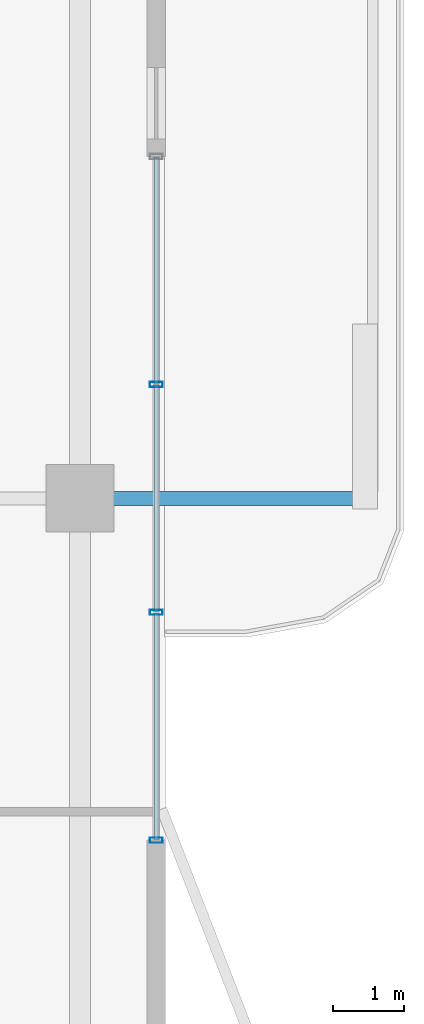
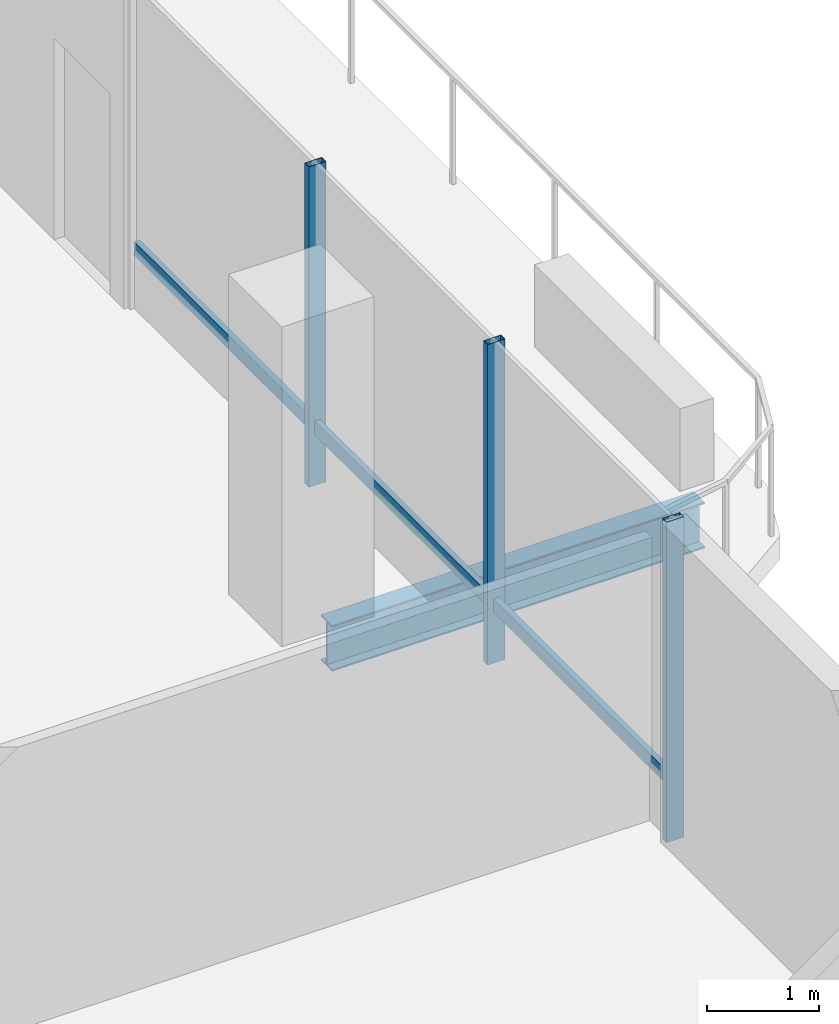
# One storey, part 10 of 24: 6 members, 1 beam, 1 element without a shape of its own.
"""IFC4 building model written with IfcOpenShell, lengths in metres."""

from ifc_helpers import new_model, si_unit, direction, frame, origin, origin_2d, place, context, subcontext, project, spatial, hollow_rectangle, i_section, extrude, material, layer, layer_set, material_profile, profile_set, type_object, element, aggregate, save


model = new_model("IFC4")

# Units and contexts
model_context = context("Model", 3, precision=1e-05, world=origin(), true_north=direction((0.0, 1.0)))
body_context = subcontext(model_context, "Body", "Model", "MODEL_VIEW")
ifc_project = project(units=[si_unit("LENGTHUNIT", "METRE"), si_unit("AREAUNIT", "SQUARE_METRE"), si_unit("VOLUMEUNIT", "CUBIC_METRE"), si_unit("PLANEANGLEUNIT", "RADIAN"), si_unit("MASSUNIT", "GRAM", prefix="KILO")], contexts=[model_context])

# Site, building, storey
site_placement = place(None, origin())
site = spatial("IfcSite", under=ifc_project, at=site_placement, CompositionType="ELEMENT")
building_placement = place(site_placement, origin())
building = spatial("IfcBuilding", under=site, at=building_placement, Name="Belovzor Exchange Tower", CompositionType="ELEMENT")
storey_placement = place(building_placement, frame((0.0, 0.0, 261.60009765625)))
storey = spatial("IfcBuildingStorey", under=building, at=storey_placement, Name="L65", CompositionType="ELEMENT", Elevation=261.60009765625)

# Beam
ifc_material_1 = material(Name="Steel S355", Category="steel")
ifc_material_profile_1 = material_profile(ifc_material_1, i_section(OverallWidth=0.199951171875, OverallDepth=0.5, WebThickness=0.01025390625, FlangeThickness=0.01611328125, at=origin_2d()))
ifc_profile_set_1 = profile_set([ifc_material_profile_1], Name="Steel S355")
beam_type = type_object("IfcBeamType", Name="Planted Balcony Cantilever Beam IPE 500", PredefinedType="BEAM", material=ifc_profile_set_1)
beam_placement = place(storey_placement, frame((52.760986328125, 28.800048828125, -0.5), z_axis=(1.0, 0.0, 0.0), x_axis=(0.0, 1.0, 0.0)))
element("IfcBeam", 1, at=beam_placement, inside=storey, type_object=beam_type, Name="BC-500 Planted Balcony Cantilever Beam IPE 500", PredefinedType="BEAM", context=body_context, shape_type="SweptSolid", body=[
    extrude(i_section(OverallWidth=0.199951171875, OverallDepth=0.5, WebThickness=0.01025390625, FlangeThickness=0.01611328125, at=origin_2d()), origin(), (0.0, 0.0, 1.0), 3.85009765625),
])

# Curtain wall, members
ifc_material_2 = material(Name="Anodised Aluminium Framing", Category="aluminium")
ifc_layer = layer(ifc_material_2, 0.179931640625)
ifc_layer_set = layer_set([ifc_layer], Name="Anodised Aluminium Framing")
curtain_wall_type = type_object("IfcCurtainWallType", Name="Recessed Loggia Low-Iron Triple-Glazed Curtain Wall", PredefinedType="NOTDEFINED", material=ifc_layer_set)
curtain_wall_placement = place(storey_placement, origin())
curtain_wall = element("IfcCurtainWall", 2, at=curtain_wall_placement, inside=storey, type_object=curtain_wall_type, Name="CW3 Recessed Loggia Low-Iron Triple-Glazed Curtain Wall L65", PredefinedType="NOTDEFINED")
ifc_material_3 = material(Name="Steel S355", Category="steel")
ifc_material_profile_2 = material_profile(ifc_material_3, hollow_rectangle(XDim=0.074951171875, YDim=0.179931640625, WallThickness=0.0048828125, at=origin_2d()))
ifc_profile_set_2 = profile_set([ifc_material_profile_2], Name="Steel S355")
member_type_1 = type_object("IfcMemberType", Name="Thermally Broken Curtain Wall Mullion 180x75", PredefinedType="MULLION", material=ifc_profile_set_2)
member_1_placement = place(storey_placement, frame((53.570068359375, 30.39990234375, 0.0), z_axis=(0.0, 0.0, 1.0), x_axis=(0.0, -1.0, 0.0)))
member_1 = element("IfcMember", 3, at=member_1_placement, type_object=member_type_1, Name="CW-M180 Curtain Wall Mullion 2", PredefinedType="MULLION", context=body_context, shape_type="SweptSolid", body=[
    extrude(hollow_rectangle(XDim=0.074951171875, YDim=0.179931640625, WallThickness=0.0048828125, at=origin_2d()), origin(), (0.0, 0.0, 1.0), 3.5),
])
member_2_placement = place(storey_placement, frame((53.570068359375, 27.199951171875, 0.0), z_axis=(0.0, 0.0, 1.0), x_axis=(0.0, -1.0, 0.0)))
member_2 = element("IfcMember", 4, at=member_2_placement, type_object=member_type_1, Name="CW-M180 Curtain Wall Mullion 3", PredefinedType="MULLION", context=body_context, shape_type="SweptSolid", body=[
    extrude(hollow_rectangle(XDim=0.074951171875, YDim=0.179931640625, WallThickness=0.0048828125, at=origin_2d()), origin(), (0.0, 0.0, 1.0), 3.5),
])
member_3_placement = place(storey_placement, frame((53.570068359375, 24.0, 0.0), z_axis=(0.0, 0.0, 1.0), x_axis=(0.0, -1.0, 0.0)))
member_3 = element("IfcMember", 5, at=member_3_placement, type_object=member_type_1, Name="CW-M180 Curtain Wall Mullion 4", PredefinedType="MULLION", context=body_context, shape_type="SweptSolid", body=[
    extrude(hollow_rectangle(XDim=0.074951171875, YDim=0.179931640625, WallThickness=0.0048828125, at=origin_2d()), origin(), (0.0, 0.0, 1.0), 3.5),
])
ifc_material_4 = material(Name="Steel S355", Category="steel")
ifc_material_profile_3 = material_profile(ifc_material_4, hollow_rectangle(XDim=0.06005859375, YDim=0.14990234375, WallThickness=0.00390625, at=origin_2d()))
ifc_profile_set_3 = profile_set([ifc_material_profile_3], Name="Steel S355")
member_type_2 = type_object("IfcMemberType", Name="Thermally Broken Curtain Wall Transom 150x60", PredefinedType="USERDEFINED", material=ifc_profile_set_3)
member_4_placement = place(storey_placement, frame((53.570068359375, 33.592041015625, 0.6298828125), z_axis=(0.0, -1.0, 0.0), x_axis=(1.0, 0.0, 0.0)))
member_4 = element("IfcMember", 6, at=member_4_placement, type_object=member_type_2, Name="CW-T150 Curtain Wall Transom 1", ObjectType="TRANSOM", PredefinedType="USERDEFINED", context=body_context, shape_type="SweptSolid", body=[
    extrude(hollow_rectangle(XDim=0.06005859375, YDim=0.14990234375, WallThickness=0.00390625, at=origin_2d()), origin(), (0.0, 0.0, 1.0), 3.18408203125),
])
member_5_placement = place(storey_placement, frame((53.570068359375, 30.39208984375, 0.6298828125), z_axis=(0.0, -1.0, 0.0), x_axis=(1.0, 0.0, 0.0)))
member_5 = element("IfcMember", 7, at=member_5_placement, type_object=member_type_2, Name="CW-T150 Curtain Wall Transom 2", ObjectType="TRANSOM", PredefinedType="USERDEFINED", context=body_context, shape_type="SweptSolid", body=[
    extrude(hollow_rectangle(XDim=0.06005859375, YDim=0.14990234375, WallThickness=0.00390625, at=origin_2d()), origin(), (0.0, 0.0, 1.0), 3.18408203125),
])
member_6_placement = place(storey_placement, frame((53.570068359375, 27.19189453125, 0.6298828125), z_axis=(0.0, -1.0, 0.0), x_axis=(1.0, 0.0, 0.0)))
member_6 = element("IfcMember", 8, at=member_6_placement, type_object=member_type_2, Name="CW-T150 Curtain Wall Transom 3", ObjectType="TRANSOM", PredefinedType="USERDEFINED", context=body_context, shape_type="SweptSolid", body=[
    extrude(hollow_rectangle(XDim=0.06005859375, YDim=0.14990234375, WallThickness=0.00390625, at=origin_2d()), origin(), (0.0, 0.0, 1.0), 3.183837890625),
])
aggregate(curtain_wall, [member_1, member_2, member_3, member_4, member_5, member_6])

save(model, "model.ifc")
